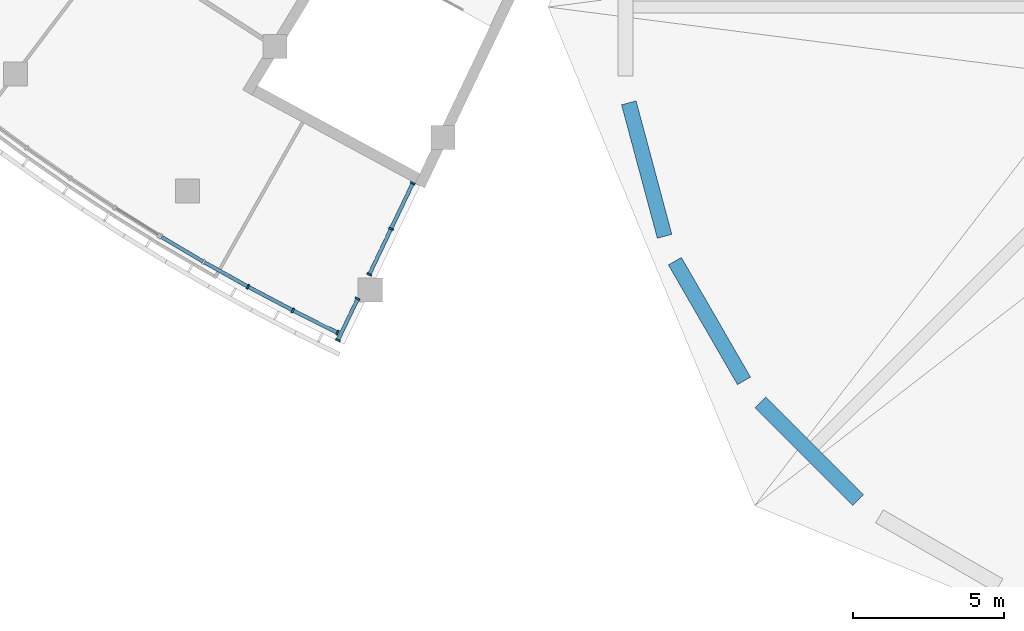
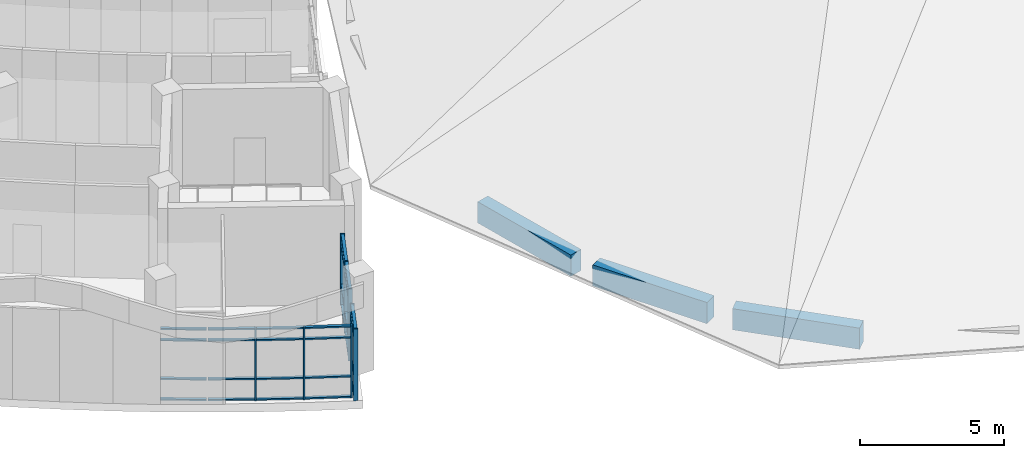
# One storey, part 4 of 137: 36 members, 3 beams, 3 elements without a shape of their own.
"""IFC4 building model written with IfcOpenShell, lengths in metres."""

from ifc_helpers import new_model, si_unit, direction, frame, origin, origin_2d, place, context, subcontext, project, spatial, rectangle, extrude, material, material_profile, profile_set, type_object, element, aggregate, save


model = new_model("IFC4")

# Units and contexts
model_context = context("Model", 3, precision=1e-05, world=origin(), true_north=direction((0.0, 1.0)))
body_context = subcontext(model_context, "Body", "Model", "MODEL_VIEW")
ifc_project = project(units=[si_unit("LENGTHUNIT", "METRE"), si_unit("AREAUNIT", "SQUARE_METRE"), si_unit("VOLUMEUNIT", "CUBIC_METRE"), si_unit("PLANEANGLEUNIT", "RADIAN"), si_unit("MASSUNIT", "GRAM", prefix="KILO")], contexts=[model_context])

# Site, building, storey
site_placement = place(None, origin())
site = spatial("IfcSite", under=ifc_project, at=site_placement, CompositionType="ELEMENT")
building_placement = place(site_placement, origin())
building = spatial("IfcBuilding", under=site, at=building_placement, Name="Bougainvillea Quay General Hospital", CompositionType="ELEMENT")
storey_placement = place(building_placement, frame((0.0, 0.0, 16.800048828125)))
storey = spatial("IfcBuildingStorey", under=building, at=storey_placement, Name="L03", CompositionType="ELEMENT", Elevation=16.800048828125)

# Curtain wall, members
ifc_material_1 = material(Name="Aluminium curtain wall system, powder-coated glazed", Category="aluminium")
curtain_wall_type_1 = type_object("IfcCurtainWallType", Name="Unitised curtain wall CW-2100", PredefinedType="NOTDEFINED", material=ifc_material_1)
curtain_wall_1_placement = place(storey_placement, origin())
curtain_wall_1 = element("IfcCurtainWall", 1, at=curtain_wall_1_placement, inside=storey, type_object=curtain_wall_type_1, Name="CW-W01 a01b0", PredefinedType="NOTDEFINED")
ifc_material_2 = material(Name="Aluminium mullion, powder-coated charcoal", Category="aluminium")
ifc_material_profile_1 = material_profile(ifc_material_2, rectangle(XDim=0.159912109375, YDim=0.06005859375, at=origin_2d()))
ifc_profile_set_1 = profile_set([ifc_material_profile_1], Name="Aluminium mullion, powder-coated charcoal")
member_type_1 = type_object("IfcMemberType", Name="Curtain wall mullion 160x60", PredefinedType="MULLION", material=ifc_profile_set_1)
member_1_placement = place(storey_placement, frame((78.83935546875, 63.204833984375, 0.0), z_axis=(0.0, 0.0, 1.0), x_axis=(-0.445731386172, -0.895166761772, 0.0)))
member_1 = element("IfcMember", 2, at=member_1_placement, type_object=member_type_1, Name="CW-W01 mullion 1", PredefinedType="MULLION", context=body_context, shape_type="SweptSolid", body=[
    extrude(rectangle(XDim=0.159912109375, YDim=0.06005859375, at=origin_2d()), origin(), (0.0, 0.0, 1.0), 3.050048828125),
])
member_2_placement = place(storey_placement, frame((77.358642578125, 63.94189453125, 0.0), z_axis=(0.0, 0.0, 1.0), x_axis=(-0.456505398476, -0.889720642203, 0.0)))
member_2 = element("IfcMember", 3, at=member_2_placement, type_object=member_type_1, Name="CW-W01 mullion 2", PredefinedType="MULLION", context=body_context, shape_type="SweptSolid", body=[
    extrude(rectangle(XDim=0.159912109375, YDim=0.06005859375, at=origin_2d()), origin(), (0.0, 0.0, 1.0), 3.050048828125),
])
member_3_placement = place(storey_placement, frame((75.869873046875, 64.728759765625, 0.0), z_axis=(0.0, 0.0, 1.0), x_axis=(-0.477852269892, -0.878440213195, 0.0)))
member_3 = element("IfcMember", 4, at=member_3_placement, type_object=member_type_1, Name="CW-W01 mullion 3", PredefinedType="MULLION", context=body_context, shape_type="SweptSolid", body=[
    extrude(rectangle(XDim=0.159912109375, YDim=0.06005859375, at=origin_2d()), origin(), (0.0, 0.0, 1.0), 3.050048828125),
])

curtain_wall_type_2 = type_object("IfcCurtainWallType", Name="Unitised curtain wall CW-1580", PredefinedType="NOTDEFINED", material=ifc_material_1)
curtain_wall_2_placement = place(storey_placement, origin())
curtain_wall_2 = element("IfcCurtainWall", 5, at=curtain_wall_2_placement, inside=storey, type_object=curtain_wall_type_2, Name="CW-AE 00", PredefinedType="NOTDEFINED")
member_4_placement = place(storey_placement, frame((78.851318359375, 62.95361328125, 0.0), z_axis=(0.0, 0.0, 1.0), x_axis=(-0.902578440897, 0.430525444112, 0.0)))
member_4 = element("IfcMember", 6, at=member_4_placement, type_object=member_type_1, Name="CW-AE mullion 1", PredefinedType="MULLION", context=body_context, shape_type="SweptSolid", body=[
    extrude(rectangle(XDim=0.159912109375, YDim=0.06005859375, at=origin_2d()), origin(), (0.0, 0.0, 1.0), 3.050048828125),
])
member_5_placement = place(storey_placement, frame((79.505615234375, 64.325439453125, 0.0), z_axis=(0.0, 0.0, 1.0), x_axis=(-0.902578440897, 0.430525444112, 0.0)))
member_5 = element("IfcMember", 7, at=member_5_placement, type_object=member_type_1, Name="CW-AE mullion 2", PredefinedType="MULLION", context=body_context, shape_type="SweptSolid", body=[
    extrude(rectangle(XDim=0.159912109375, YDim=0.06005859375, at=origin_2d()), origin(), (0.0, 0.0, 1.0), 3.050048828125),
])

curtain_wall_type_3 = type_object("IfcCurtainWallType", Name="Unitised curtain wall CW-1703", PredefinedType="NOTDEFINED", material=ifc_material_1)
curtain_wall_3_placement = place(storey_placement, origin())
curtain_wall_3 = element("IfcCurtainWall", 8, at=curtain_wall_3_placement, inside=storey, type_object=curtain_wall_type_3, Name="CW-AE 01", PredefinedType="NOTDEFINED")
member_6_placement = place(storey_placement, frame((79.89306640625, 65.1376953125, 0.0), z_axis=(0.0, 0.0, 1.0), x_axis=(-0.902578440897, 0.430525444112, 0.0)))
member_6 = element("IfcMember", 9, at=member_6_placement, type_object=member_type_1, Name="CW-AE mullion 1", PredefinedType="MULLION", context=body_context, shape_type="SweptSolid", body=[
    extrude(rectangle(XDim=0.159912109375, YDim=0.06005859375, at=origin_2d()), origin(), (0.0, 0.0, 1.0), 3.050048828125),
])
member_7_placement = place(storey_placement, frame((80.61328125, 66.647705078125, 0.0), z_axis=(0.0, 0.0, 1.0), x_axis=(-0.902578440897, 0.430525444112, 0.0)))
member_7 = element("IfcMember", 10, at=member_7_placement, type_object=member_type_1, Name="CW-AE mullion 2", PredefinedType="MULLION", context=body_context, shape_type="SweptSolid", body=[
    extrude(rectangle(XDim=0.159912109375, YDim=0.06005859375, at=origin_2d()), origin(), (0.0, 0.0, 1.0), 3.050048828125),
])
member_8_placement = place(storey_placement, frame((81.33349609375, 68.157470703125, 0.0), z_axis=(0.0, 0.0, 1.0), x_axis=(-0.902578440897, 0.430525444112, 0.0)))
member_8 = element("IfcMember", 11, at=member_8_placement, type_object=member_type_1, Name="CW-AE mullion 3", PredefinedType="MULLION", context=body_context, shape_type="SweptSolid", body=[
    extrude(rectangle(XDim=0.159912109375, YDim=0.06005859375, at=origin_2d()), origin(), (0.0, 0.0, 1.0), 3.050048828125),
])

# Member
ifc_material_3 = material(Name="Aluminium transom, powder-coated charcoal", Category="aluminium")
ifc_material_profile_2 = material_profile(ifc_material_3, rectangle(XDim=0.1201171875, YDim=0.06005859375, at=origin_2d()))
ifc_profile_set_2 = profile_set([ifc_material_profile_2], Name="Aluminium transom, powder-coated charcoal")
member_type_2 = type_object("IfcMemberType", Name="Curtain wall transom 120x60", PredefinedType="USERDEFINED", material=ifc_profile_set_2)
member_9_placement = place(storey_placement, frame((78.8125, 63.218017578125, 0.030029296875), z_axis=(-0.895130546745, 0.445804109765, 0.0), x_axis=(-0.445804109765, -0.895130546745, 0.0)))
member_9 = element("IfcMember", 12, at=member_9_placement, type_object=member_type_2, Name="CW-W01 transom 1.1", ObjectType="TRANSOM", PredefinedType="USERDEFINED", context=body_context, shape_type="SweptSolid", body=[
    extrude(rectangle(XDim=0.1201171875, YDim=0.06005859375, at=origin_2d()), origin(), (0.0, 0.0, 1.0), 1.59423828125),
])

member_10_placement = place(storey_placement, frame((78.8125, 63.218017578125, 0.89990234375), z_axis=(-0.895130546745, 0.445804109765, 0.0), x_axis=(-0.445804109765, -0.895130546745, 0.0)))
member_10 = element("IfcMember", 13, at=member_10_placement, type_object=member_type_2, Name="CW-W01 transom 1.2", ObjectType="TRANSOM", PredefinedType="USERDEFINED", context=body_context, shape_type="SweptSolid", body=[
    extrude(rectangle(XDim=0.1201171875, YDim=0.06005859375, at=origin_2d()), origin(), (0.0, 0.0, 1.0), 1.59423828125),
])

member_11_placement = place(storey_placement, frame((78.8125, 63.218017578125, 2.550048828125), z_axis=(-0.895130546745, 0.445804109765, 0.0), x_axis=(-0.445804109765, -0.895130546745, 0.0)))
member_11 = element("IfcMember", 14, at=member_11_placement, type_object=member_type_2, Name="CW-W01 transom 1.3", ObjectType="TRANSOM", PredefinedType="USERDEFINED", context=body_context, shape_type="SweptSolid", body=[
    extrude(rectangle(XDim=0.1201171875, YDim=0.06005859375, at=origin_2d()), origin(), (0.0, 0.0, 1.0), 1.59423828125),
])

member_12_placement = place(storey_placement, frame((78.8125, 63.218017578125, 3.02001953125), z_axis=(-0.895130546745, 0.445804109765, 0.0), x_axis=(-0.445804109765, -0.895130546745, 0.0)))
member_12 = element("IfcMember", 15, at=member_12_placement, type_object=member_type_2, Name="CW-W01 transom 1.4", ObjectType="TRANSOM", PredefinedType="USERDEFINED", context=body_context, shape_type="SweptSolid", body=[
    extrude(rectangle(XDim=0.1201171875, YDim=0.06005859375, at=origin_2d()), origin(), (0.0, 0.0, 1.0), 1.59423828125),
])

member_13_placement = place(storey_placement, frame((77.332275390625, 63.9560546875, 0.030029296875), z_axis=(-0.884160582564, 0.46718311639, 0.0), x_axis=(-0.46718311639, -0.884160582564, 0.0)))
member_13 = element("IfcMember", 16, at=member_13_placement, type_object=member_type_2, Name="CW-W01 transom 2.1", ObjectType="TRANSOM", PredefinedType="USERDEFINED", context=body_context, shape_type="SweptSolid", body=[
    extrude(rectangle(XDim=0.1201171875, YDim=0.06005859375, at=origin_2d()), origin(), (0.0, 0.0, 1.0), 1.624267578125),
])

member_14_placement = place(storey_placement, frame((77.332275390625, 63.9560546875, 0.89990234375), z_axis=(-0.884160582564, 0.46718311639, 0.0), x_axis=(-0.46718311639, -0.884160582564, 0.0)))
member_14 = element("IfcMember", 17, at=member_14_placement, type_object=member_type_2, Name="CW-W01 transom 2.2", ObjectType="TRANSOM", PredefinedType="USERDEFINED", context=body_context, shape_type="SweptSolid", body=[
    extrude(rectangle(XDim=0.1201171875, YDim=0.06005859375, at=origin_2d()), origin(), (0.0, 0.0, 1.0), 1.624267578125),
])

member_15_placement = place(storey_placement, frame((77.332275390625, 63.9560546875, 2.550048828125), z_axis=(-0.884160582564, 0.46718311639, 0.0), x_axis=(-0.46718311639, -0.884160582564, 0.0)))
member_15 = element("IfcMember", 18, at=member_15_placement, type_object=member_type_2, Name="CW-W01 transom 2.3", ObjectType="TRANSOM", PredefinedType="USERDEFINED", context=body_context, shape_type="SweptSolid", body=[
    extrude(rectangle(XDim=0.1201171875, YDim=0.06005859375, at=origin_2d()), origin(), (0.0, 0.0, 1.0), 1.624267578125),
])

member_16_placement = place(storey_placement, frame((77.332275390625, 63.9560546875, 3.02001953125), z_axis=(-0.884160582564, 0.46718311639, 0.0), x_axis=(-0.46718311639, -0.884160582564, 0.0)))
member_16 = element("IfcMember", 19, at=member_16_placement, type_object=member_type_2, Name="CW-W01 transom 2.4", ObjectType="TRANSOM", PredefinedType="USERDEFINED", context=body_context, shape_type="SweptSolid", body=[
    extrude(rectangle(XDim=0.1201171875, YDim=0.06005859375, at=origin_2d()), origin(), (0.0, 0.0, 1.0), 1.624267578125),
])

member_17_placement = place(storey_placement, frame((75.84375, 64.743408203125, 0.030029296875), z_axis=(-0.872621342538, 0.48839737156, 0.0), x_axis=(-0.48839737156, -0.872621342538, 0.0)))
member_17 = element("IfcMember", 20, at=member_17_placement, type_object=member_type_2, Name="CW-W01 transom 3.1", ObjectType="TRANSOM", PredefinedType="USERDEFINED", context=body_context, shape_type="SweptSolid", body=[
    extrude(rectangle(XDim=0.1201171875, YDim=0.06005859375, at=origin_2d()), origin(), (0.0, 0.0, 1.0), 1.6240234375),
])

member_18_placement = place(storey_placement, frame((75.84375, 64.743408203125, 0.89990234375), z_axis=(-0.872621342538, 0.48839737156, 0.0), x_axis=(-0.48839737156, -0.872621342538, 0.0)))
member_18 = element("IfcMember", 21, at=member_18_placement, type_object=member_type_2, Name="CW-W01 transom 3.2", ObjectType="TRANSOM", PredefinedType="USERDEFINED", context=body_context, shape_type="SweptSolid", body=[
    extrude(rectangle(XDim=0.1201171875, YDim=0.06005859375, at=origin_2d()), origin(), (0.0, 0.0, 1.0), 1.6240234375),
])

member_19_placement = place(storey_placement, frame((75.84375, 64.743408203125, 2.550048828125), z_axis=(-0.872621342538, 0.48839737156, 0.0), x_axis=(-0.48839737156, -0.872621342538, 0.0)))
member_19 = element("IfcMember", 22, at=member_19_placement, type_object=member_type_2, Name="CW-W01 transom 3.3", ObjectType="TRANSOM", PredefinedType="USERDEFINED", context=body_context, shape_type="SweptSolid", body=[
    extrude(rectangle(XDim=0.1201171875, YDim=0.06005859375, at=origin_2d()), origin(), (0.0, 0.0, 1.0), 1.6240234375),
])

member_20_placement = place(storey_placement, frame((75.84375, 64.743408203125, 3.02001953125), z_axis=(-0.872621342538, 0.48839737156, 0.0), x_axis=(-0.48839737156, -0.872621342538, 0.0)))
member_20 = element("IfcMember", 23, at=member_20_placement, type_object=member_type_2, Name="CW-W01 transom 3.4", ObjectType="TRANSOM", PredefinedType="USERDEFINED", context=body_context, shape_type="SweptSolid", body=[
    extrude(rectangle(XDim=0.1201171875, YDim=0.06005859375, at=origin_2d()), origin(), (0.0, 0.0, 1.0), 1.6240234375),
])

member_21_placement = place(storey_placement, frame((74.37451171875, 65.566650390625, 0.030029296875), z_axis=(-0.860545172696, 0.509374131409, 0.0), x_axis=(-0.509374131409, -0.860545172696, 0.0)))
member_21 = element("IfcMember", 24, at=member_21_placement, type_object=member_type_2, Name="CW-W01 transom 4.1", ObjectType="TRANSOM", PredefinedType="USERDEFINED", context=body_context, shape_type="SweptSolid", body=[
    extrude(rectangle(XDim=0.1201171875, YDim=0.06005859375, at=origin_2d()), origin(), (0.0, 0.0, 1.0), 1.59423828125),
])

member_22_placement = place(storey_placement, frame((74.37451171875, 65.566650390625, 0.89990234375), z_axis=(-0.860545172696, 0.509374131409, 0.0), x_axis=(-0.509374131409, -0.860545172696, 0.0)))
member_22 = element("IfcMember", 25, at=member_22_placement, type_object=member_type_2, Name="CW-W01 transom 4.2", ObjectType="TRANSOM", PredefinedType="USERDEFINED", context=body_context, shape_type="SweptSolid", body=[
    extrude(rectangle(XDim=0.1201171875, YDim=0.06005859375, at=origin_2d()), origin(), (0.0, 0.0, 1.0), 1.59423828125),
])

member_23_placement = place(storey_placement, frame((74.37451171875, 65.566650390625, 2.550048828125), z_axis=(-0.860545172696, 0.509374131409, 0.0), x_axis=(-0.509374131409, -0.860545172696, 0.0)))
member_23 = element("IfcMember", 26, at=member_23_placement, type_object=member_type_2, Name="CW-W01 transom 4.3", ObjectType="TRANSOM", PredefinedType="USERDEFINED", context=body_context, shape_type="SweptSolid", body=[
    extrude(rectangle(XDim=0.1201171875, YDim=0.06005859375, at=origin_2d()), origin(), (0.0, 0.0, 1.0), 1.59423828125),
])

member_24_placement = place(storey_placement, frame((74.37451171875, 65.566650390625, 3.02001953125), z_axis=(-0.860545172696, 0.509374131409, 0.0), x_axis=(-0.509374131409, -0.860545172696, 0.0)))
member_24 = element("IfcMember", 27, at=member_24_placement, type_object=member_type_2, Name="CW-W01 transom 4.4", ObjectType="TRANSOM", PredefinedType="USERDEFINED", context=body_context, shape_type="SweptSolid", body=[
    extrude(rectangle(XDim=0.1201171875, YDim=0.06005859375, at=origin_2d()), origin(), (0.0, 0.0, 1.0), 1.59423828125),
])

aggregate(curtain_wall_1, [member_1, member_2, member_3, member_9, member_10, member_11, member_12, member_13, member_14, member_15, member_16, member_17, member_18, member_19, member_20, member_21, member_22, member_23, member_24])

member_25_placement = place(storey_placement, frame((78.8642578125, 62.980712890625, 0.030029296875), z_axis=(0.430478813346, 0.902600682063, 0.0), x_axis=(-0.902600682063, 0.430478813346, 0.0)))
member_25 = element("IfcMember", 28, at=member_25_placement, type_object=member_type_2, Name="CW-AE transom 1.1", ObjectType="TRANSOM", PredefinedType="USERDEFINED", context=body_context, shape_type="SweptSolid", body=[
    extrude(rectangle(XDim=0.1201171875, YDim=0.06005859375, at=origin_2d()), origin(), (0.0, 0.0, 1.0), 1.459716796875),
])

member_26_placement = place(storey_placement, frame((78.8642578125, 62.980712890625, 0.89990234375), z_axis=(0.430478813346, 0.902600682063, 0.0), x_axis=(-0.902600682063, 0.430478813346, 0.0)))
member_26 = element("IfcMember", 29, at=member_26_placement, type_object=member_type_2, Name="CW-AE transom 1.2", ObjectType="TRANSOM", PredefinedType="USERDEFINED", context=body_context, shape_type="SweptSolid", body=[
    extrude(rectangle(XDim=0.1201171875, YDim=0.06005859375, at=origin_2d()), origin(), (0.0, 0.0, 1.0), 1.459716796875),
])

member_27_placement = place(storey_placement, frame((78.8642578125, 62.980712890625, 2.550048828125), z_axis=(0.430478813346, 0.902600682063, 0.0), x_axis=(-0.902600682063, 0.430478813346, 0.0)))
member_27 = element("IfcMember", 30, at=member_27_placement, type_object=member_type_2, Name="CW-AE transom 1.3", ObjectType="TRANSOM", PredefinedType="USERDEFINED", context=body_context, shape_type="SweptSolid", body=[
    extrude(rectangle(XDim=0.1201171875, YDim=0.06005859375, at=origin_2d()), origin(), (0.0, 0.0, 1.0), 1.459716796875),
])

member_28_placement = place(storey_placement, frame((78.8642578125, 62.980712890625, 3.02001953125), z_axis=(0.430478813346, 0.902600682063, 0.0), x_axis=(-0.902600682063, 0.430478813346, 0.0)))
member_28 = element("IfcMember", 31, at=member_28_placement, type_object=member_type_2, Name="CW-AE transom 1.4", ObjectType="TRANSOM", PredefinedType="USERDEFINED", context=body_context, shape_type="SweptSolid", body=[
    extrude(rectangle(XDim=0.1201171875, YDim=0.06005859375, at=origin_2d()), origin(), (0.0, 0.0, 1.0), 1.459716796875),
])

aggregate(curtain_wall_2, [member_4, member_5, member_25, member_26, member_27, member_28])

member_29_placement = place(storey_placement, frame((79.906005859375, 65.164794921875, 0.030029296875), z_axis=(0.430485805142, 0.902597347421, 0.0), x_axis=(-0.902597347421, 0.430485805142, 0.0)))
member_29 = element("IfcMember", 32, at=member_29_placement, type_object=member_type_2, Name="CW-AE transom 1.1", ObjectType="TRANSOM", PredefinedType="USERDEFINED", context=body_context, shape_type="SweptSolid", body=[
    extrude(rectangle(XDim=0.1201171875, YDim=0.06005859375, at=origin_2d()), origin(), (0.0, 0.0, 1.0), 1.61279296875),
])

member_30_placement = place(storey_placement, frame((79.906005859375, 65.164794921875, 0.89990234375), z_axis=(0.430485805142, 0.902597347421, 0.0), x_axis=(-0.902597347421, 0.430485805142, 0.0)))
member_30 = element("IfcMember", 33, at=member_30_placement, type_object=member_type_2, Name="CW-AE transom 1.2", ObjectType="TRANSOM", PredefinedType="USERDEFINED", context=body_context, shape_type="SweptSolid", body=[
    extrude(rectangle(XDim=0.1201171875, YDim=0.06005859375, at=origin_2d()), origin(), (0.0, 0.0, 1.0), 1.61279296875),
])

member_31_placement = place(storey_placement, frame((79.906005859375, 65.164794921875, 2.550048828125), z_axis=(0.430485805142, 0.902597347421, 0.0), x_axis=(-0.902597347421, 0.430485805142, 0.0)))
member_31 = element("IfcMember", 34, at=member_31_placement, type_object=member_type_2, Name="CW-AE transom 1.3", ObjectType="TRANSOM", PredefinedType="USERDEFINED", context=body_context, shape_type="SweptSolid", body=[
    extrude(rectangle(XDim=0.1201171875, YDim=0.06005859375, at=origin_2d()), origin(), (0.0, 0.0, 1.0), 1.61279296875),
])

member_32_placement = place(storey_placement, frame((79.906005859375, 65.164794921875, 3.02001953125), z_axis=(0.430485805142, 0.902597347421, 0.0), x_axis=(-0.902597347421, 0.430485805142, 0.0)))
member_32 = element("IfcMember", 35, at=member_32_placement, type_object=member_type_2, Name="CW-AE transom 1.4", ObjectType="TRANSOM", PredefinedType="USERDEFINED", context=body_context, shape_type="SweptSolid", body=[
    extrude(rectangle(XDim=0.1201171875, YDim=0.06005859375, at=origin_2d()), origin(), (0.0, 0.0, 1.0), 1.61279296875),
])

member_33_placement = place(storey_placement, frame((80.626220703125, 66.6748046875, 0.030029296875), z_axis=(0.430544626456, 0.902569290764, 0.0), x_axis=(-0.902569290764, 0.430544626456, 0.0)))
member_33 = element("IfcMember", 36, at=member_33_placement, type_object=member_type_2, Name="CW-AE transom 2.1", ObjectType="TRANSOM", PredefinedType="USERDEFINED", context=body_context, shape_type="SweptSolid", body=[
    extrude(rectangle(XDim=0.1201171875, YDim=0.06005859375, at=origin_2d()), origin(), (0.0, 0.0, 1.0), 1.61279296875),
])

member_34_placement = place(storey_placement, frame((80.626220703125, 66.6748046875, 0.89990234375), z_axis=(0.430544626456, 0.902569290764, 0.0), x_axis=(-0.902569290764, 0.430544626456, 0.0)))
member_34 = element("IfcMember", 37, at=member_34_placement, type_object=member_type_2, Name="CW-AE transom 2.2", ObjectType="TRANSOM", PredefinedType="USERDEFINED", context=body_context, shape_type="SweptSolid", body=[
    extrude(rectangle(XDim=0.1201171875, YDim=0.06005859375, at=origin_2d()), origin(), (0.0, 0.0, 1.0), 1.61279296875),
])

member_35_placement = place(storey_placement, frame((80.626220703125, 66.6748046875, 2.550048828125), z_axis=(0.430544626456, 0.902569290764, 0.0), x_axis=(-0.902569290764, 0.430544626456, 0.0)))
member_35 = element("IfcMember", 38, at=member_35_placement, type_object=member_type_2, Name="CW-AE transom 2.3", ObjectType="TRANSOM", PredefinedType="USERDEFINED", context=body_context, shape_type="SweptSolid", body=[
    extrude(rectangle(XDim=0.1201171875, YDim=0.06005859375, at=origin_2d()), origin(), (0.0, 0.0, 1.0), 1.61279296875),
])

member_36_placement = place(storey_placement, frame((80.626220703125, 66.6748046875, 3.02001953125), z_axis=(0.430544626456, 0.902569290764, 0.0), x_axis=(-0.902569290764, 0.430544626456, 0.0)))
member_36 = element("IfcMember", 39, at=member_36_placement, type_object=member_type_2, Name="CW-AE transom 2.4", ObjectType="TRANSOM", PredefinedType="USERDEFINED", context=body_context, shape_type="SweptSolid", body=[
    extrude(rectangle(XDim=0.1201171875, YDim=0.06005859375, at=origin_2d()), origin(), (0.0, 0.0, 1.0), 1.61279296875),
])

aggregate(curtain_wall_3, [member_6, member_7, member_8, member_29, member_30, member_31, member_32, member_33, member_34, member_35, member_36])

# Beams
ifc_material_4 = material(Name="Concrete C40", Category="concrete")
ifc_material_profile_3 = material_profile(ifc_material_4, rectangle(XDim=0.5, YDim=0.89990234375, at=origin_2d()))
ifc_profile_set_3 = profile_set([ifc_material_profile_3], Name="Concrete C40")
beam_type = type_object("IfcBeamType", Name="RC BEAM 500x900 C40", PredefinedType="BEAM", material=ifc_profile_set_3)
beam_1_placement = place(storey_placement, frame((88.49658203125, 70.82421875, -0.0517578125), z_axis=(0.258863043334, -0.965914035924, 0.0), x_axis=(0.965914035924, 0.258863043334, 0.0)))
element("IfcBeam", 40, at=beam_1_placement, inside=storey, type_object=beam_type, Name="Beam ROOF-V1-ER-13", PredefinedType="BEAM", context=body_context, shape_type="SweptSolid", body=[
    extrude(rectangle(XDim=0.5, YDim=0.89990234375, at=origin_2d()), origin(), (0.0, 0.0, 1.0), 4.581787109375),
])
beam_2_placement = place(storey_placement, frame((90.02392578125, 65.57421875, -0.0517578125), z_axis=(0.499966888589, -0.866044519823, 0.0), x_axis=(0.866044519823, 0.499966888589, 0.0)))
element("IfcBeam", 41, at=beam_2_placement, inside=storey, type_object=beam_type, Name="Beam ROOF-V1-ER-14", PredefinedType="BEAM", context=body_context, shape_type="SweptSolid", body=[
    extrude(rectangle(XDim=0.5, YDim=0.89990234375, at=origin_2d()), origin(), (0.0, 0.0, 1.0), 4.582275390625),
])
beam_3_placement = place(storey_placement, frame((92.858154296875, 60.897705078125, -0.0517578125), z_axis=(0.707133424747, -0.707080136622, 0.0), x_axis=(0.707080136622, 0.707133424747, 0.0)))
element("IfcBeam", 42, at=beam_3_placement, inside=storey, type_object=beam_type, Name="Beam ROOF-V1-ER-15", PredefinedType="BEAM", context=body_context, shape_type="SweptSolid", body=[
    extrude(rectangle(XDim=0.5, YDim=0.89990234375, at=origin_2d()), origin(), (0.0, 0.0, 1.0), 4.58154296875),
])

save(model, "model.ifc")
